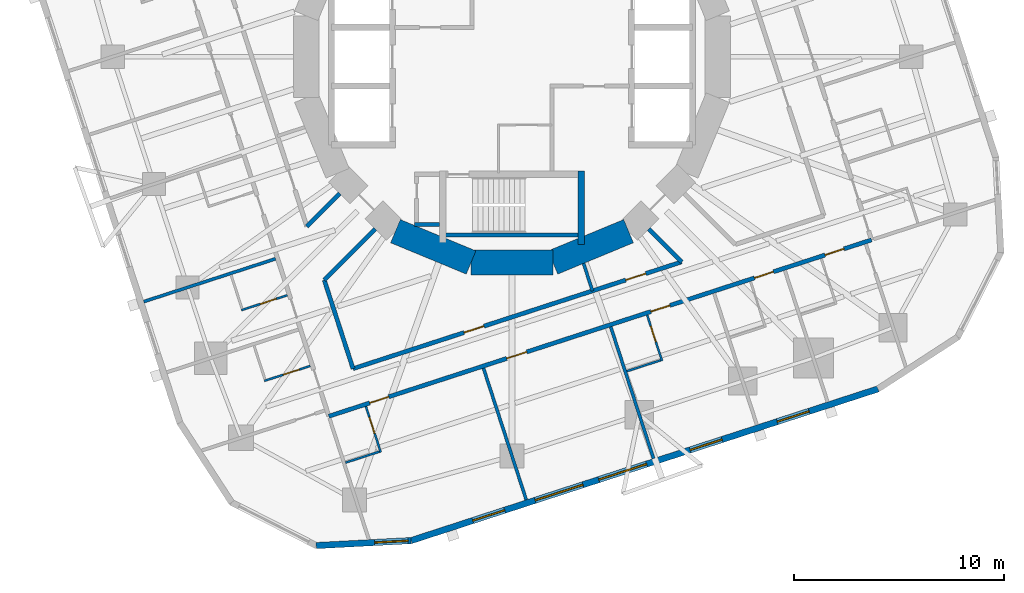
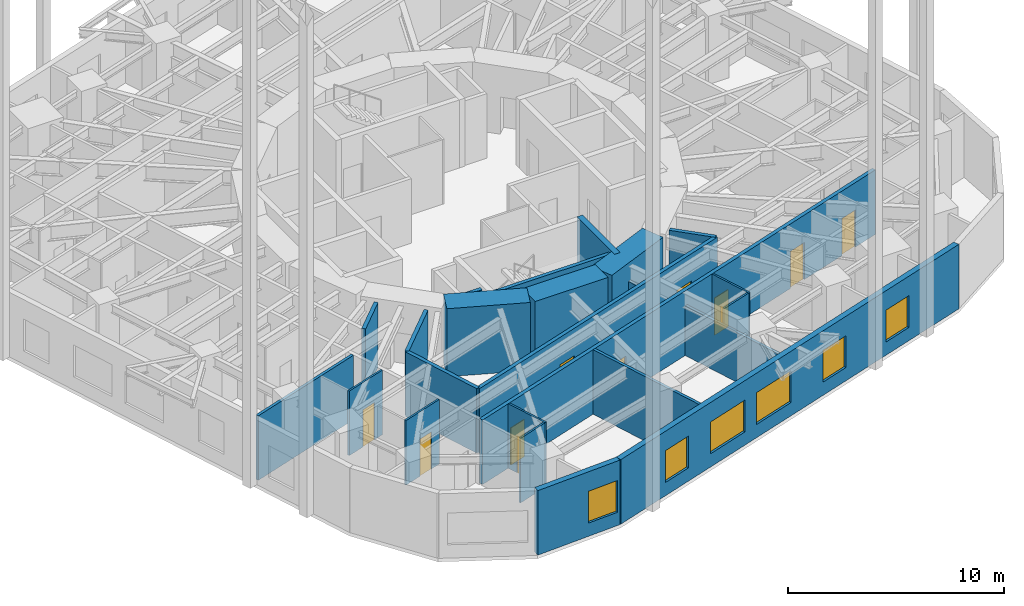
# One storey, part 4 of 10: 24 walls, 11 doors, 6 windows, 17 openings.
"""IFC4 building model written with IfcOpenShell, lengths in metres."""

from ifc_helpers import new_model, si_unit, direction, frame, frame_2d, origin, place, context, subcontext, project, spatial, rectangle, extrude, material, layer, layer_set, type_object, element, fill, save


model = new_model("IFC4")

# Units and contexts
model_context = context("Model", 3, precision=1e-05, world=origin(), true_north=direction((0.0, 1.0)))
body_context = subcontext(model_context, "Body", "Model", "MODEL_VIEW")
ifc_project = project(units=[si_unit("LENGTHUNIT", "METRE"), si_unit("AREAUNIT", "SQUARE_METRE"), si_unit("VOLUMEUNIT", "CUBIC_METRE"), si_unit("PLANEANGLEUNIT", "RADIAN"), si_unit("MASSUNIT", "GRAM", prefix="KILO")], contexts=[model_context])

# Site, building, storey
site_placement = place(None, origin())
site = spatial("IfcSite", under=ifc_project, at=site_placement, CompositionType="ELEMENT")
building_placement = place(site_placement, origin())
building = spatial("IfcBuilding", under=site, at=building_placement, Name="Nakasero Lantern House", CompositionType="ELEMENT")
storey_placement = place(building_placement, frame((0.0, 0.0, 141.800048828125)))
storey = spatial("IfcBuildingStorey", under=building, at=storey_placement, Name="L34", CompositionType="ELEMENT", Elevation=141.800048828125)

# Walls
ifc_material_1 = material(Name="Concrete C50/60", Category="concrete")
ifc_layer_1 = layer(ifc_material_1, 0.300048828125)
ifc_layer_set_1 = layer_set([ifc_layer_1], Name="Core inner wall 300")
wall_type_1 = type_object("IfcWallType", Name="Core inner wall 300", PredefinedType="SHEAR", material=ifc_layer_set_1)
wall_1_placement = place(storey_placement, frame((3.300048828125, -5.449951171875, 0.0), z_axis=(0.0, 0.0, 1.0), x_axis=(0.0, -1.0, 0.0)))
element("IfcWall", 1, at=wall_1_placement, inside=storey, type_object=wall_type_1, Name="Core inner wall L34 SSE", PredefinedType="SHEAR", context=body_context, shape_type="SweptSolid", body=[
    extrude(rectangle(XDim=3.5, YDim=0.300048828125, at=frame_2d((1.75, 0.0))), origin(), (0.0, 0.0, 1.0), 3.849853515625),
])
ifc_material_2 = material(Name="Concrete C50/60", Category="concrete")
ifc_layer_2 = layer(ifc_material_2, 1.199951171875)
ifc_layer_set_2 = layer_set([ifc_layer_2], Name="Core wall 1200")
wall_type_2 = type_object("IfcWallType", Name="Core wall 1200", PredefinedType="SHEAR", material=ifc_layer_set_2)
for number, where, z_axis, x_axis, name in (
    (2, (-5.5556640625, -8.314697265625, 0.0), (0.0, 0.0, 1.0), (0.923876507187, -0.382690736062, 0.0), "Core wall L34 facet 11"),
    (3, (-1.950927734375, -9.807861328125, 0.0), (0.0, 0.0, 1.0), (1.0, 0.0, 0.0), "Core wall L34 facet 12"),
    (4, (1.950927734375, -9.807861328125, 0.0), (0.0, 0.0, 1.0), (0.923876507187, 0.382690736062, 0.0), "Core wall L34 facet 13"),
):
    element("IfcWall", number, at=place(storey_placement, frame(where, z_axis=z_axis, x_axis=x_axis)), inside=storey, type_object=wall_type_2, Name=name, PredefinedType="SHEAR", context=body_context, shape_type="SweptSolid", body=[
        extrude(rectangle(XDim=3.90185546875, YDim=1.199951171875, at=frame_2d((1.950927734375, 0.0))), origin(), (0.0, 0.0, 1.0), 3.849853515625),
    ])

# Wall, openings, doors
ifc_material_3 = material(Name="Blockwork", Category="masonry")
ifc_layer_3 = layer(ifc_material_3, 0.199951171875)
ifc_layer_set_3 = layer_set([ifc_layer_3], Name="Corridor wall 200")
wall_type_3 = type_object("IfcWallType", Name="Corridor wall 200", PredefinedType="PARTITIONING", material=ifc_layer_set_3)
wall_2_placement = place(storey_placement, frame((-8.731689453125, -17.136962890625, 0.0), z_axis=(0.0, 0.0, 1.0), x_axis=(0.951056097323, 0.309018283835, 0.0)))
wall_2 = element("IfcWall", 5, at=wall_2_placement, inside=storey, type_object=wall_type_3, Name="Corridor wall L34 CW3", PredefinedType="PARTITIONING", context=body_context, shape_type="SweptSolid", body=[
    extrude(rectangle(XDim=27.199951171875, YDim=0.199951171875, at=frame_2d((13.60009765625, 0.0))), origin(), (0.0, 0.0, 1.0), 3.64990234375),
])
opening_1_placement = place(wall_2_placement, frame((2.050048828125, 0.0, 0.0)))
opening_1 = element("IfcOpeningElement", 6, at=opening_1_placement, cuts=wall_2, Name="Opening D01", PredefinedType="OPENING", context=body_context, shape_type="SweptSolid", body=[
    extrude(rectangle(XDim=0.949951171875, YDim=2.10009765625, at=frame_2d((0.47509765625, 1.050048828125))), frame((0.0, 0.119873046875, 0.0), z_axis=(0.0, -1.0, 0.0), x_axis=(1.0, 0.0, 0.0)), (0.0, 0.0, 1.0), 0.239990234375),
])
opening_2_placement = place(wall_2_placement, frame((16.14697265625, 0.0, 0.0)))
opening_2 = element("IfcOpeningElement", 7, at=opening_2_placement, cuts=wall_2, Name="Opening D01", PredefinedType="OPENING", context=body_context, shape_type="SweptSolid", body=[
    extrude(rectangle(XDim=0.949951171875, YDim=2.10009765625, at=frame_2d((0.47509765625, 1.050048828125))), frame((0.0, 0.119873046875, 0.0), z_axis=(0.0, -1.0, 0.0), x_axis=(1.0, 0.0, 0.0)), (0.0, 0.0, 1.0), 0.239990234375),
])
opening_3_placement = place(wall_2_placement, frame((21.328125, 0.0, 0.0)))
opening_3 = element("IfcOpeningElement", 8, at=opening_3_placement, cuts=wall_2, Name="Opening D01", PredefinedType="OPENING", context=body_context, shape_type="SweptSolid", body=[
    extrude(rectangle(XDim=0.949951171875, YDim=2.10009765625, at=frame_2d((0.47509765625, 1.050048828125))), frame((0.0, 0.119873046875, 0.0), z_axis=(0.0, -1.0, 0.0), x_axis=(1.0, 0.0, 0.0)), (0.0, 0.0, 1.0), 0.239990234375),
])
opening_4_placement = place(wall_2_placement, frame((24.872314453125, 0.0, 0.0)))
opening_4 = element("IfcOpeningElement", 9, at=opening_4_placement, cuts=wall_2, Name="Opening D01", PredefinedType="OPENING", context=body_context, shape_type="SweptSolid", body=[
    extrude(rectangle(XDim=0.949951171875, YDim=2.10009765625, at=frame_2d((0.47509765625, 1.050048828125))), frame((0.0, 0.119873046875, 0.0), z_axis=(0.0, -1.0, 0.0), x_axis=(1.0, 0.0, 0.0)), (0.0, 0.0, 1.0), 0.239990234375),
])
opening_5_placement = place(wall_2_placement, frame((8.9189453125, 0.0, 0.0)))
opening_5 = element("IfcOpeningElement", 10, at=opening_5_placement, cuts=wall_2, Name="Opening D03", PredefinedType="OPENING", context=body_context, shape_type="SweptSolid", body=[
    extrude(rectangle(XDim=1.0, YDim=2.10009765625, at=frame_2d((0.5, 1.050048828125))), frame((0.0, 0.119873046875, 0.0), z_axis=(0.0, -1.0, 0.0), x_axis=(1.0, 0.0, 0.0)), (0.0, 0.0, 1.0), 0.239990234375),
])
ifc_material_4 = material(Name="Timber C24", Category="wood")
door_type_1 = type_object("IfcDoorType", Name="Bedroom door FD30S 950", OperationType="SINGLE_SWING_LEFT", PredefinedType="DOOR", material=ifc_material_4)
door_1_placement = place(opening_1_placement, origin())
door_1 = element("IfcDoor", 11, at=door_1_placement, inside=storey, type_object=door_type_1, Name="Door L34 D3-00", OperationType="SINGLE_SWING_LEFT", OverallHeight=2.10009765625, OverallWidth=0.949951171875, PredefinedType="DOOR", context=body_context, shape_type="SweptSolid", body=[
    extrude(rectangle(XDim=0.949951171875, YDim=2.10009765625, at=frame_2d((0.47509765625, 1.050048828125))), frame((0.0, 0.02490234375, 0.0), z_axis=(0.0, -1.0, 0.0), x_axis=(1.0, 0.0, 0.0)), (0.0, 0.0, 1.0), 0.050048828125),
])
fill(opening_1, door_1)
door_2_placement = place(opening_2_placement, origin())
door_2 = element("IfcDoor", 12, at=door_2_placement, inside=storey, type_object=door_type_1, Name="Door L34 D3-04", OperationType="SINGLE_SWING_RIGHT", OverallHeight=2.10009765625, OverallWidth=0.949951171875, PredefinedType="DOOR", context=body_context, shape_type="SweptSolid", body=[
    extrude(rectangle(XDim=0.949951171875, YDim=2.10009765625, at=frame_2d((0.47509765625, 1.050048828125))), frame((0.0, 0.02490234375, 0.0), z_axis=(0.0, -1.0, 0.0), x_axis=(1.0, 0.0, 0.0)), (0.0, 0.0, 1.0), 0.050048828125),
])
fill(opening_2, door_2)
door_3_placement = place(opening_3_placement, origin())
door_3 = element("IfcDoor", 13, at=door_3_placement, inside=storey, type_object=door_type_1, Name="Door L34 D3-05", OperationType="SINGLE_SWING_RIGHT", OverallHeight=2.10009765625, OverallWidth=0.949951171875, PredefinedType="DOOR", context=body_context, shape_type="SweptSolid", body=[
    extrude(rectangle(XDim=0.949951171875, YDim=2.10009765625, at=frame_2d((0.47509765625, 1.050048828125))), frame((0.0, 0.02490234375, 0.0), z_axis=(0.0, -1.0, 0.0), x_axis=(1.0, 0.0, 0.0)), (0.0, 0.0, 1.0), 0.050048828125),
])
fill(opening_3, door_3)
door_4_placement = place(opening_4_placement, origin())
door_4 = element("IfcDoor", 14, at=door_4_placement, inside=storey, type_object=door_type_1, Name="Door L34 D3-06", OperationType="SINGLE_SWING_RIGHT", OverallHeight=2.10009765625, OverallWidth=0.949951171875, PredefinedType="DOOR", context=body_context, shape_type="SweptSolid", body=[
    extrude(rectangle(XDim=0.949951171875, YDim=2.10009765625, at=frame_2d((0.47509765625, 1.050048828125))), frame((0.0, 0.02490234375, 0.0), z_axis=(0.0, -1.0, 0.0), x_axis=(1.0, 0.0, 0.0)), (0.0, 0.0, 1.0), 0.050048828125),
])
fill(opening_4, door_4)
ifc_material_5 = material(Name="Timber C24", Category="wood")
door_type_2 = type_object("IfcDoorType", Name="Lounge door FD30S 1000", OperationType="SINGLE_SWING_LEFT", PredefinedType="DOOR", material=ifc_material_5)
door_5_placement = place(opening_5_placement, origin())
door_5 = element("IfcDoor", 15, at=door_5_placement, inside=storey, type_object=door_type_2, Name="Door L34 DK3", OperationType="SINGLE_SWING_LEFT", OverallHeight=2.10009765625, OverallWidth=1.0, PredefinedType="DOOR", context=body_context, shape_type="SweptSolid", body=[
    extrude(rectangle(XDim=1.0, YDim=2.10009765625, at=frame_2d((0.5, 1.050048828125))), frame((0.0, 0.02490234375, 0.0), z_axis=(0.0, -1.0, 0.0), x_axis=(1.0, 0.0, 0.0)), (0.0, 0.0, 1.0), 0.050048828125),
])
fill(opening_5, door_5)

# Wall
wall_3_placement = place(storey_placement, frame((-8.9482421875, -10.6455078125, 0.0), z_axis=(0.0, 0.0, 1.0), x_axis=(0.308977916351, -0.951069212627, 0.0)))
element("IfcWall", 16, at=wall_3_placement, inside=storey, type_object=wall_type_3, Name="Corridor wall L34 IW2-1", PredefinedType="PARTITIONING", context=body_context, shape_type="SweptSolid", body=[
    extrude(rectangle(XDim=4.440673828125, YDim=0.199951171875, at=frame_2d((2.22021484375, 0.0))), origin(), (0.0, 0.0, 1.0), 3.64990234375),
])

# Wall, openings, doors
wall_4_placement = place(storey_placement, frame((-7.576171875, -14.868896484375, 0.0), z_axis=(0.0, 0.0, 1.0), x_axis=(0.951057928473, 0.309012648104, 0.0)))
wall_4 = element("IfcWall", 17, at=wall_4_placement, inside=storey, type_object=wall_type_3, Name="Corridor wall L34 IW3-0", PredefinedType="PARTITIONING", context=body_context, shape_type="SweptSolid", body=[
    extrude(rectangle(XDim=16.4658203125, YDim=0.199951171875, at=frame_2d((8.23291015625, 0.0))), origin(), (0.0, 0.0, 1.0), 3.64990234375),
])
opening_6_placement = place(wall_4_placement, frame((5.5625, 0.0, 0.0)))
opening_6 = element("IfcOpeningElement", 18, at=opening_6_placement, cuts=wall_4, Name="Opening D07", PredefinedType="OPENING", context=body_context, shape_type="SweptSolid", body=[
    extrude(rectangle(XDim=1.0, YDim=2.10009765625, at=frame_2d((0.5, 1.050048828125))), frame((0.0, 0.119873046875, 0.0), z_axis=(0.0, -1.0, 0.0), x_axis=(1.0, 0.0, 0.0)), (0.0, 0.0, 1.0), 0.239990234375),
])
opening_7_placement = place(wall_4_placement, frame((13.67041015625, 0.0, 0.0)))
opening_7 = element("IfcOpeningElement", 19, at=opening_7_placement, cuts=wall_4, Name="Opening D07", PredefinedType="OPENING", context=body_context, shape_type="SweptSolid", body=[
    extrude(rectangle(XDim=1.0, YDim=2.10009765625, at=frame_2d((0.5, 1.050048828125))), frame((0.0, 0.119873046875, 0.0), z_axis=(0.0, -1.0, 0.0), x_axis=(1.0, 0.0, 0.0)), (0.0, 0.0, 1.0), 0.239990234375),
])
ifc_material_6 = material(Name="Timber C24", Category="wood")
door_type_3 = type_object("IfcDoorType", Name="Room door FD30S 1000", OperationType="SINGLE_SWING_LEFT", PredefinedType="DOOR", material=ifc_material_6)
door_6_placement = place(opening_6_placement, origin())
door_6 = element("IfcDoor", 20, at=door_6_placement, inside=storey, type_object=door_type_3, Name="Door L34 DI2", OperationType="SINGLE_SWING_LEFT", OverallHeight=2.10009765625, OverallWidth=1.0, PredefinedType="DOOR", context=body_context, shape_type="SweptSolid", body=[
    extrude(rectangle(XDim=1.0, YDim=2.10009765625, at=frame_2d((0.5, 1.050048828125))), frame((0.0, 0.02490234375, 0.0), z_axis=(0.0, -1.0, 0.0), x_axis=(1.0, 0.0, 0.0)), (0.0, 0.0, 1.0), 0.050048828125),
])
fill(opening_6, door_6)
door_7_placement = place(opening_7_placement, origin())
door_7 = element("IfcDoor", 21, at=door_7_placement, inside=storey, type_object=door_type_3, Name="Door L34 DI3", OperationType="SINGLE_SWING_RIGHT", OverallHeight=2.10009765625, OverallWidth=1.0, PredefinedType="DOOR", context=body_context, shape_type="SweptSolid", body=[
    extrude(rectangle(XDim=1.0, YDim=2.10009765625, at=frame_2d((0.5, 1.050048828125))), frame((0.0, 0.02490234375, 0.0), z_axis=(0.0, -1.0, 0.0), x_axis=(1.0, 0.0, 0.0)), (0.0, 0.0, 1.0), 0.050048828125),
])
fill(opening_7, door_7)

# Walls
wall_5_placement = place(storey_placement, frame((-6.510986328125, -8.2080078125, 0.0), z_axis=(0.0, 0.0, 1.0), x_axis=(-0.707071366528, -0.707142194071, 0.0)))
element("IfcWall", 22, at=wall_5_placement, inside=storey, type_object=wall_type_3, Name="Corridor wall L34 PS10a", PredefinedType="PARTITIONING", context=body_context, shape_type="SweptSolid", body=[
    extrude(rectangle(XDim=3.447021484375, YDim=0.199951171875, at=frame_2d((1.7236328125, 0.0))), origin(), (0.0, 0.0, 1.0), 3.64990234375),
])
for number, where, z_axis, x_axis, name in (
    (23, (-8.2080078125, -6.510986328125, 0.0), (0.0, 0.0, 1.0), (-0.707106781187, -0.707106781187, 0.0), "Corridor wall L34 PS10b"),
    (24, (6.510986328125, -8.2080078125, 0.0), (0.0, 0.0, 1.0), (0.707106781187, -0.707106781187, 0.0), "Corridor wall L34 PS14b"),
):
    element("IfcWall", number, at=place(storey_placement, frame(where, z_axis=z_axis, x_axis=x_axis)), inside=storey, type_object=wall_type_3, Name=name, PredefinedType="PARTITIONING", context=body_context, shape_type="SweptSolid", body=[
        extrude(rectangle(XDim=2.22412109375, YDim=0.199951171875, at=frame_2d((1.112060546875, 0.0))), origin(), (0.0, 0.0, 1.0), 3.64990234375),
    ])

# Wall, opening, door
ifc_material_7 = material(Name="Blockwork", Category="masonry")
ifc_layer_4 = layer(ifc_material_7, 0.10009765625)
ifc_layer_set_4 = layer_set([ifc_layer_4], Name="En-suite wall 100")
wall_type_4 = type_object("IfcWallType", Name="En-suite wall 100", PredefinedType="PARTITIONING", material=ifc_layer_set_4)
wall_6_placement = place(storey_placement, frame((-10.7109375, -11.369384765625, 0.0), z_axis=(0.0, 0.0, 1.0), x_axis=(-0.951055129775, -0.309021261611, 0.0)))
wall_6 = element("IfcWall", 25, at=wall_6_placement, inside=storey, type_object=wall_type_4, Name="En-suite wall L34 ES2-05", PredefinedType="PARTITIONING", context=body_context, shape_type="SweptSolid", body=[
    extrude(rectangle(XDim=2.2998046875, YDim=0.10009765625, at=frame_2d((1.14990234375, 0.0))), origin(), (0.0, 0.0, 1.0), 3.64990234375),
])
opening_8_placement = place(wall_6_placement, frame((0.550048828125, 0.0, 0.0)))
opening_8 = element("IfcOpeningElement", 26, at=opening_8_placement, cuts=wall_6, Name="Opening D02", PredefinedType="OPENING", context=body_context, shape_type="SweptSolid", body=[
    extrude(rectangle(XDim=0.800048828125, YDim=2.10009765625, at=frame_2d((0.39990234375, 1.050048828125))), frame((0.0, 0.070068359375, 0.0), z_axis=(0.0, -1.0, 0.0), x_axis=(1.0, 0.0, 0.0)), (0.0, 0.0, 1.0), 0.14013671875),
])
ifc_material_8 = material(Name="Timber C24", Category="wood")
door_type_4 = type_object("IfcDoorType", Name="En-suite door 800", OperationType="SINGLE_SWING_RIGHT", PredefinedType="DOOR", material=ifc_material_8)
door_8_placement = place(opening_8_placement, origin())
door_8 = element("IfcDoor", 27, at=door_8_placement, inside=storey, type_object=door_type_4, Name="Door L34 DE2-05", OperationType="SINGLE_SWING_LEFT", OverallHeight=2.10009765625, OverallWidth=0.800048828125, PredefinedType="DOOR", context=body_context, shape_type="SweptSolid", body=[
    extrude(rectangle(XDim=0.800048828125, YDim=2.10009765625, at=frame_2d((0.39990234375, 1.050048828125))), frame((0.0, 0.02490234375, 0.0), z_axis=(0.0, -1.0, 0.0), x_axis=(1.0, 0.0, 0.0)), (0.0, 0.0, 1.0), 0.050048828125),
])
fill(opening_8, door_8)

wall_7_placement = place(storey_placement, frame((-9.61572265625, -14.740234375, 0.0), z_axis=(0.0, 0.0, 1.0), x_axis=(-0.951055129775, -0.309021261611, 0.0)))
wall_7 = element("IfcWall", 28, at=wall_7_placement, inside=storey, type_object=wall_type_4, Name="En-suite wall L34 ES2-06", PredefinedType="PARTITIONING", context=body_context, shape_type="SweptSolid", body=[
    extrude(rectangle(XDim=2.2998046875, YDim=0.10009765625, at=frame_2d((1.14990234375, 0.0))), origin(), (0.0, 0.0, 1.0), 3.64990234375),
])
opening_9_placement = place(wall_7_placement, frame((0.550048828125, 0.0, 0.0)))
opening_9 = element("IfcOpeningElement", 29, at=opening_9_placement, cuts=wall_7, Name="Opening D02", PredefinedType="OPENING", context=body_context, shape_type="SweptSolid", body=[
    extrude(rectangle(XDim=0.800048828125, YDim=2.10009765625, at=frame_2d((0.39990234375, 1.050048828125))), frame((0.0, 0.070068359375, 0.0), z_axis=(0.0, -1.0, 0.0), x_axis=(1.0, 0.0, 0.0)), (0.0, 0.0, 1.0), 0.14013671875),
])
door_9_placement = place(opening_9_placement, origin())
door_9 = element("IfcDoor", 30, at=door_9_placement, inside=storey, type_object=door_type_4, Name="Door L34 DE2-06", OperationType="SINGLE_SWING_LEFT", OverallHeight=2.10009765625, OverallWidth=0.800048828125, PredefinedType="DOOR", context=body_context, shape_type="SweptSolid", body=[
    extrude(rectangle(XDim=0.800048828125, YDim=2.10009765625, at=frame_2d((0.39990234375, 1.050048828125))), frame((0.0, 0.02490234375, 0.0), z_axis=(0.0, -1.0, 0.0), x_axis=(1.0, 0.0, 0.0)), (0.0, 0.0, 1.0), 0.050048828125),
])
fill(opening_9, door_9)

wall_8_placement = place(storey_placement, frame((-6.965087890625, -16.668212890625, 0.0), z_axis=(0.0, 0.0, 1.0), x_axis=(0.309021261611, -0.951055129775, 0.0)))
wall_8 = element("IfcWall", 31, at=wall_8_placement, inside=storey, type_object=wall_type_4, Name="En-suite wall L34 ES3-00", PredefinedType="PARTITIONING", context=body_context, shape_type="SweptSolid", body=[
    extrude(rectangle(XDim=2.2998046875, YDim=0.10009765625, at=frame_2d((1.14990234375, 0.0))), origin(), (0.0, 0.0, 1.0), 3.64990234375),
])
opening_10_placement = place(wall_8_placement, frame((0.550048828125, 0.0, 0.0)))
opening_10 = element("IfcOpeningElement", 32, at=opening_10_placement, cuts=wall_8, Name="Opening D02", PredefinedType="OPENING", context=body_context, shape_type="SweptSolid", body=[
    extrude(rectangle(XDim=0.800048828125, YDim=2.10009765625, at=frame_2d((0.39990234375, 1.050048828125))), frame((0.0, 0.070068359375, 0.0), z_axis=(0.0, -1.0, 0.0), x_axis=(1.0, 0.0, 0.0)), (0.0, 0.0, 1.0), 0.14013671875),
])
door_10_placement = place(opening_10_placement, origin())
door_10 = element("IfcDoor", 33, at=door_10_placement, inside=storey, type_object=door_type_4, Name="Door L34 DE3-00", OperationType="SINGLE_SWING_LEFT", OverallHeight=2.10009765625, OverallWidth=0.800048828125, PredefinedType="DOOR", context=body_context, shape_type="SweptSolid", body=[
    extrude(rectangle(XDim=0.800048828125, YDim=2.10009765625, at=frame_2d((0.39990234375, 1.050048828125))), frame((0.0, 0.02490234375, 0.0), z_axis=(0.0, -1.0, 0.0), x_axis=(1.0, 0.0, 0.0)), (0.0, 0.0, 1.0), 0.050048828125),
])
fill(opening_10, door_10)

# Wall
wall_9_placement = place(storey_placement, frame((-7.934326171875, -19.348876953125, 0.0), z_axis=(0.0, 0.0, 1.0), x_axis=(0.951054116971, 0.309024378638, 0.0)))
element("IfcWall", 34, at=wall_9_placement, inside=storey, type_object=wall_type_4, Name="En-suite wall L34 EE3-00", PredefinedType="PARTITIONING", context=body_context, shape_type="SweptSolid", body=[
    extrude(rectangle(XDim=1.7001953125, YDim=0.10009765625, at=frame_2d((0.85009765625, 0.0))), origin(), (0.0, 0.0, 1.0), 3.64990234375),
])

# Wall, opening, door
wall_10_placement = place(storey_placement, frame((6.44189453125, -12.31201171875, 0.0), z_axis=(0.0, 0.0, 1.0), x_axis=(0.309021261611, -0.951055129775, 0.0)))
wall_10 = element("IfcWall", 35, at=wall_10_placement, inside=storey, type_object=wall_type_4, Name="En-suite wall L34 ES3-04", PredefinedType="PARTITIONING", context=body_context, shape_type="SweptSolid", body=[
    extrude(rectangle(XDim=2.2998046875, YDim=0.10009765625, at=frame_2d((1.14990234375, 0.0))), origin(), (0.0, 0.0, 1.0), 3.64990234375),
])
opening_11_placement = place(wall_10_placement, frame((0.550048828125, 0.0, 0.0)))
opening_11 = element("IfcOpeningElement", 36, at=opening_11_placement, cuts=wall_10, Name="Opening D02", PredefinedType="OPENING", context=body_context, shape_type="SweptSolid", body=[
    extrude(rectangle(XDim=0.800048828125, YDim=2.10009765625, at=frame_2d((0.39990234375, 1.050048828125))), frame((0.0, 0.070068359375, 0.0), z_axis=(0.0, -1.0, 0.0), x_axis=(1.0, 0.0, 0.0)), (0.0, 0.0, 1.0), 0.14013671875),
])
door_11_placement = place(opening_11_placement, origin())
door_11 = element("IfcDoor", 37, at=door_11_placement, inside=storey, type_object=door_type_4, Name="Door L34 DE3-04", OperationType="SINGLE_SWING_LEFT", OverallHeight=2.10009765625, OverallWidth=0.800048828125, PredefinedType="DOOR", context=body_context, shape_type="SweptSolid", body=[
    extrude(rectangle(XDim=0.800048828125, YDim=2.10009765625, at=frame_2d((0.39990234375, 1.050048828125))), frame((0.0, 0.02490234375, 0.0), z_axis=(0.0, -1.0, 0.0), x_axis=(1.0, 0.0, 0.0)), (0.0, 0.0, 1.0), 0.050048828125),
])
fill(opening_11, door_11)

# Wall
wall_11_placement = place(storey_placement, frame((5.472900390625, -14.99267578125, 0.0), z_axis=(0.0, 0.0, 1.0), x_axis=(0.951040401051, 0.309066587596, 0.0)))
element("IfcWall", 38, at=wall_11_placement, inside=storey, type_object=wall_type_4, Name="En-suite wall L34 EE3-04", PredefinedType="PARTITIONING", context=body_context, shape_type="SweptSolid", body=[
    extrude(rectangle(XDim=1.699951171875, YDim=0.10009765625, at=frame_2d((0.85009765625, 0.0))), origin(), (0.0, 0.0, 1.0), 3.64990234375),
])

# Wall, opening, window
ifc_material_9 = material(Name="Aluminium rainscreen on blockwork", Category="masonry")
ifc_layer_5 = layer(ifc_material_9, 0.300048828125)
ifc_layer_set_5 = layer_set([ifc_layer_5], Name="Facade wall 300")
wall_type_5 = type_object("IfcWallType", Name="Facade wall 300", PredefinedType="SOLIDWALL", material=ifc_layer_set_5)
wall_12_placement = place(storey_placement, frame((-9.3310546875, -23.3017578125, 0.0), z_axis=(0.0, 0.0, 1.0), x_axis=(0.998629419044, 0.052338164079, 0.0)))
wall_12 = element("IfcWall", 39, at=wall_12_placement, inside=storey, type_object=wall_type_5, Name="Facade wall L34 FW2C3", PredefinedType="SOLIDWALL", context=body_context, shape_type="SweptSolid", body=[
    extrude(rectangle(XDim=4.529296875, YDim=0.300048828125, at=frame_2d((2.2646484375, 0.0))), origin(), (0.0, 0.0, 1.0), 3.64990234375),
])
opening_12_placement = place(wall_12_placement, frame((2.784912109375, 0.0, 0.75)))
opening_12 = element("IfcOpeningElement", 40, at=opening_12_placement, cuts=wall_12, Name="Opening W01", PredefinedType="OPENING", context=body_context, shape_type="SweptSolid", body=[
    extrude(rectangle(XDim=1.60009765625, YDim=1.800048828125, at=frame_2d((0.800048828125, 0.89990234375))), frame((0.0, 0.169921875, 0.0), z_axis=(0.0, -1.0, 0.0), x_axis=(1.0, 0.0, 0.0)), (0.0, 0.0, 1.0), 0.340087890625),
])
ifc_material_10 = material(Name="Aluminium 6063-T6 and glass", Category="aluminium")
window_type_1 = type_object("IfcWindowType", Name="Bedroom window 1600x1800", PartitioningType="SINGLE_PANEL", PredefinedType="WINDOW", material=ifc_material_10)
window_1_placement = place(opening_12_placement, origin())
window_1 = element("IfcWindow", 41, at=window_1_placement, inside=storey, type_object=window_type_1, Name="Window L34 WN3-00", OverallHeight=1.800048828125, OverallWidth=1.60009765625, PartitioningType="SINGLE_PANEL", PredefinedType="WINDOW", context=body_context, shape_type="SweptSolid", body=[
    extrude(rectangle(XDim=1.60009765625, YDim=1.800048828125, at=frame_2d((0.800048828125, 0.89990234375))), frame((0.0, 0.030029296875, 0.0), z_axis=(0.0, -1.0, 0.0), x_axis=(1.0, 0.0, 0.0)), (0.0, 0.0, 1.0), 0.06005859375),
])
fill(opening_12, window_1)

# Wall, openings, windows
wall_13_placement = place(storey_placement, frame((-4.807861328125, -23.064697265625, 0.0), z_axis=(0.0, 0.0, 1.0), x_axis=(0.951053618334, 0.30902591324, 0.0)))
wall_13 = element("IfcWall", 42, at=wall_13_placement, inside=storey, type_object=wall_type_5, Name="Facade wall L34 FW3S", PredefinedType="SOLIDWALL", context=body_context, shape_type="SweptSolid", body=[
    extrude(rectangle(XDim=23.39990234375, YDim=0.300048828125, at=frame_2d((11.699951171875, 0.0))), origin(), (0.0, 0.0, 1.0), 3.64990234375),
])
opening_13_placement = place(wall_13_placement, frame((3.089111328125, 0.0, 0.75)))
opening_13 = element("IfcOpeningElement", 43, at=opening_13_placement, cuts=wall_13, Name="Opening W01", PredefinedType="OPENING", context=body_context, shape_type="SweptSolid", body=[
    extrude(rectangle(XDim=1.60009765625, YDim=1.800048828125, at=frame_2d((0.800048828125, 0.89990234375))), frame((0.0, 0.169921875, 0.0), z_axis=(0.0, -1.0, 0.0), x_axis=(1.0, 0.0, 0.0)), (0.0, 0.0, 1.0), 0.340087890625),
])
opening_14_placement = place(wall_13_placement, frame((13.987548828125, 0.0, 0.75)))
opening_14 = element("IfcOpeningElement", 44, at=opening_14_placement, cuts=wall_13, Name="Opening W01", PredefinedType="OPENING", context=body_context, shape_type="SweptSolid", body=[
    extrude(rectangle(XDim=1.60009765625, YDim=1.800048828125, at=frame_2d((0.800048828125, 0.89990234375))), frame((0.0, 0.169921875, 0.0), z_axis=(0.0, -1.0, 0.0), x_axis=(1.0, 0.0, 0.0)), (0.0, 0.0, 1.0), 0.340087890625),
])
opening_15_placement = place(wall_13_placement, frame((18.350341796875, 0.0, 0.75)))
opening_15 = element("IfcOpeningElement", 45, at=opening_15_placement, cuts=wall_13, Name="Opening W01", PredefinedType="OPENING", context=body_context, shape_type="SweptSolid", body=[
    extrude(rectangle(XDim=1.60009765625, YDim=1.800048828125, at=frame_2d((0.800048828125, 0.89990234375))), frame((0.0, 0.169921875, 0.0), z_axis=(0.0, -1.0, 0.0), x_axis=(1.0, 0.0, 0.0)), (0.0, 0.0, 1.0), 0.340087890625),
])
opening_16_placement = place(wall_13_placement, frame((6.21337890625, 0.0, 0.75)))
opening_16 = element("IfcOpeningElement", 46, at=opening_16_placement, cuts=wall_13, Name="Opening W03", PredefinedType="OPENING", context=body_context, shape_type="SweptSolid", body=[
    extrude(rectangle(XDim=2.39990234375, YDim=1.800048828125, at=frame_2d((1.199951171875, 0.89990234375))), frame((0.0, 0.169921875, 0.0), z_axis=(0.0, -1.0, 0.0), x_axis=(1.0, 0.0, 0.0)), (0.0, 0.0, 1.0), 0.340087890625),
])
opening_17_placement = place(wall_13_placement, frame((9.402587890625, 0.0, 0.75)))
opening_17 = element("IfcOpeningElement", 47, at=opening_17_placement, cuts=wall_13, Name="Opening W03", PredefinedType="OPENING", context=body_context, shape_type="SweptSolid", body=[
    extrude(rectangle(XDim=2.39990234375, YDim=1.800048828125, at=frame_2d((1.199951171875, 0.89990234375))), frame((0.0, 0.169921875, 0.0), z_axis=(0.0, -1.0, 0.0), x_axis=(1.0, 0.0, 0.0)), (0.0, 0.0, 1.0), 0.340087890625),
])
window_2_placement = place(opening_13_placement, origin())
window_2 = element("IfcWindow", 48, at=window_2_placement, inside=storey, type_object=window_type_1, Name="Window L34 WN3-01", OverallHeight=1.800048828125, OverallWidth=1.60009765625, PartitioningType="SINGLE_PANEL", PredefinedType="WINDOW", context=body_context, shape_type="SweptSolid", body=[
    extrude(rectangle(XDim=1.60009765625, YDim=1.800048828125, at=frame_2d((0.800048828125, 0.89990234375))), frame((0.0, 0.030029296875, 0.0), z_axis=(0.0, -1.0, 0.0), x_axis=(1.0, 0.0, 0.0)), (0.0, 0.0, 1.0), 0.06005859375),
])
fill(opening_13, window_2)
window_3_placement = place(opening_14_placement, origin())
window_3 = element("IfcWindow", 49, at=window_3_placement, inside=storey, type_object=window_type_1, Name="Window L34 WN3-04", OverallHeight=1.800048828125, OverallWidth=1.60009765625, PartitioningType="SINGLE_PANEL", PredefinedType="WINDOW", context=body_context, shape_type="SweptSolid", body=[
    extrude(rectangle(XDim=1.60009765625, YDim=1.800048828125, at=frame_2d((0.800048828125, 0.89990234375))), frame((0.0, 0.030029296875, 0.0), z_axis=(0.0, -1.0, 0.0), x_axis=(1.0, 0.0, 0.0)), (0.0, 0.0, 1.0), 0.06005859375),
])
fill(opening_14, window_3)
window_4_placement = place(opening_15_placement, origin())
window_4 = element("IfcWindow", 50, at=window_4_placement, inside=storey, type_object=window_type_1, Name="Window L34 WN3-05", OverallHeight=1.800048828125, OverallWidth=1.60009765625, PartitioningType="SINGLE_PANEL", PredefinedType="WINDOW", context=body_context, shape_type="SweptSolid", body=[
    extrude(rectangle(XDim=1.60009765625, YDim=1.800048828125, at=frame_2d((0.800048828125, 0.89990234375))), frame((0.0, 0.030029296875, 0.0), z_axis=(0.0, -1.0, 0.0), x_axis=(1.0, 0.0, 0.0)), (0.0, 0.0, 1.0), 0.06005859375),
])
fill(opening_15, window_4)
ifc_material_11 = material(Name="Aluminium 6063-T6 and glass", Category="aluminium")
window_type_2 = type_object("IfcWindowType", Name="Lounge window 2400x1800", PartitioningType="SINGLE_PANEL", PredefinedType="WINDOW", material=ifc_material_11)
window_5_placement = place(opening_16_placement, origin())
window_5 = element("IfcWindow", 51, at=window_5_placement, inside=storey, type_object=window_type_2, Name="Window L34 WK3", OverallHeight=1.800048828125, OverallWidth=2.39990234375, PartitioningType="SINGLE_PANEL", PredefinedType="WINDOW", context=body_context, shape_type="SweptSolid", body=[
    extrude(rectangle(XDim=2.39990234375, YDim=1.800048828125, at=frame_2d((1.199951171875, 0.89990234375))), frame((0.0, 0.030029296875, 0.0), z_axis=(0.0, -1.0, 0.0), x_axis=(1.0, 0.0, 0.0)), (0.0, 0.0, 1.0), 0.06005859375),
])
fill(opening_16, window_5)
window_6_placement = place(opening_17_placement, origin())
window_6 = element("IfcWindow", 52, at=window_6_placement, inside=storey, type_object=window_type_2, Name="Window L34 WL3", OverallHeight=1.800048828125, OverallWidth=2.39990234375, PartitioningType="SINGLE_PANEL", PredefinedType="WINDOW", context=body_context, shape_type="SweptSolid", body=[
    extrude(rectangle(XDim=2.39990234375, YDim=1.800048828125, at=frame_2d((1.199951171875, 0.89990234375))), frame((0.0, 0.030029296875, 0.0), z_axis=(0.0, -1.0, 0.0), x_axis=(1.0, 0.0, 0.0)), (0.0, 0.0, 1.0), 0.06005859375),
])
fill(opening_17, window_6)

# Walls
ifc_material_12 = material(Name="Blockwork", Category="masonry")
ifc_layer_6 = layer(ifc_material_12, 0.199951171875)
ifc_layer_set_6 = layer_set([ifc_layer_6], Name="Fire lobby wall 200")
wall_type_6 = type_object("IfcWallType", Name="Fire lobby wall 200", PredefinedType="PARTITIONING", material=ifc_layer_set_6)
wall_14_placement = place(storey_placement, frame((-3.449951171875, -8.0, 0.0), z_axis=(0.0, 0.0, 1.0), x_axis=(-1.0, 0.0, 0.0)))
element("IfcWall", 53, at=wall_14_placement, inside=storey, type_object=wall_type_6, Name="Fire lobby wall L34 W-RS2S", PredefinedType="PARTITIONING", context=body_context, shape_type="SweptSolid", body=[
    extrude(rectangle(XDim=1.199951171875, YDim=0.199951171875, at=frame_2d((0.60009765625, 0.0))), origin(), (0.0, 0.0, 1.0), 3.64990234375),
])
wall_15_placement = place(storey_placement, frame((-3.300048828125, -8.5, 0.0), z_axis=(0.0, 0.0, 1.0), x_axis=(1.0, 0.0, 0.0)))
element("IfcWall", 54, at=wall_15_placement, inside=storey, type_object=wall_type_6, Name="Fire lobby wall L34 W-STS", PredefinedType="PARTITIONING", context=body_context, shape_type="SweptSolid", body=[
    extrude(rectangle(XDim=6.60009765625, YDim=0.199951171875, at=frame_2d((3.300048828125, 0.0))), origin(), (0.0, 0.0, 1.0), 3.64990234375),
])
ifc_material_13 = material(Name="Blockwork", Category="masonry")
ifc_layer_7 = layer(ifc_material_13, 0.14990234375)
ifc_layer_set_7 = layer_set([ifc_layer_7], Name="Party wall 150")
wall_type_7 = type_object("IfcWallType", Name="Party wall 150", PredefinedType="PARTITIONING", material=ifc_layer_set_7)
for number, where, z_axis, x_axis, name in (
    (55, (-11.27490234375, -9.6337890625, 0.0), (0.0, 0.0, 1.0), (-0.951053095941, -0.309027520945, 0.0), "Party wall L34 PW2-05"),
    (56, (-1.359619140625, -14.846923828125, 0.0), (0.0, 0.0, 1.0), (0.309027520945, -0.951053095941, 0.0), "Party wall L34 PW3-02"),
):
    element("IfcWall", number, at=place(storey_placement, frame(where, z_axis=z_axis, x_axis=x_axis)), inside=storey, type_object=wall_type_7, Name=name, PredefinedType="PARTITIONING", context=body_context, shape_type="SweptSolid", body=[
        extrude(rectangle(XDim=6.599853515625, YDim=0.14990234375, at=frame_2d((3.2998046875, 0.0))), origin(), (0.0, 0.0, 1.0), 3.64990234375),
    ])
wall_16_placement = place(storey_placement, frame((4.706298828125, -12.8759765625, 0.0), z_axis=(0.0, 0.0, 1.0), x_axis=(0.309027520945, -0.951053095941, 0.0)))
element("IfcWall", 57, at=wall_16_placement, inside=storey, type_object=wall_type_7, Name="Party wall L34 PW3-04", PredefinedType="PARTITIONING", context=body_context, shape_type="SweptSolid", body=[
    extrude(rectangle(XDim=6.599853515625, YDim=0.14990234375, at=frame_2d((3.2998046875, 0.0))), origin(), (0.0, 0.0, 1.0), 2.809326171875),
])
wall_17_placement = place(storey_placement, frame((3.836669921875, -11.16064453125, 0.0), z_axis=(0.0, 0.0, 1.0), x_axis=(-0.309138236978, 0.951017113641, 0.0)))
element("IfcWall", 58, at=wall_17_placement, inside=storey, type_object=wall_type_7, Name="Party wall L34 IM3", PredefinedType="PARTITIONING", context=body_context, shape_type="SweptSolid", body=[
    extrude(rectangle(XDim=1.375732421875, YDim=0.14990234375, at=frame_2d((0.68798828125, 0.0))), origin(), (0.0, 0.0, 1.0), 2.809326171875),
])

save(model, "model.ifc")
